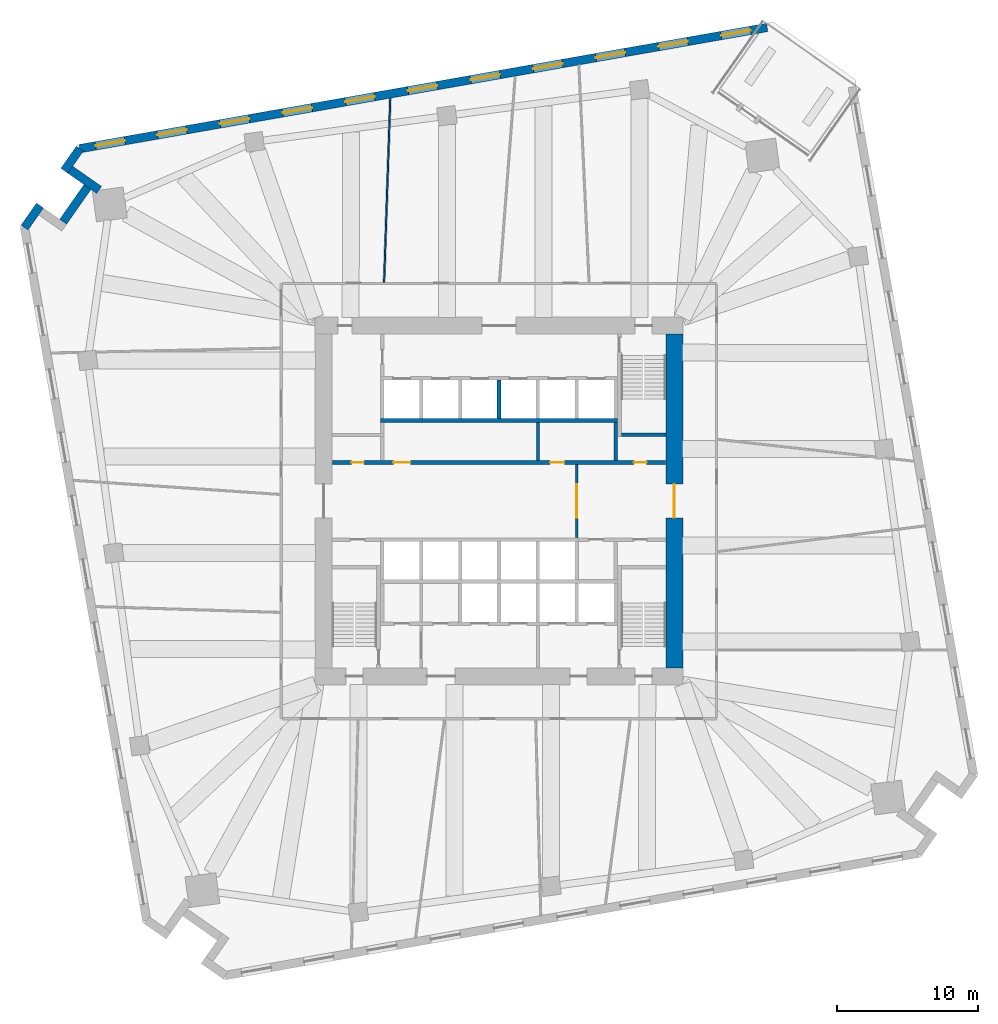
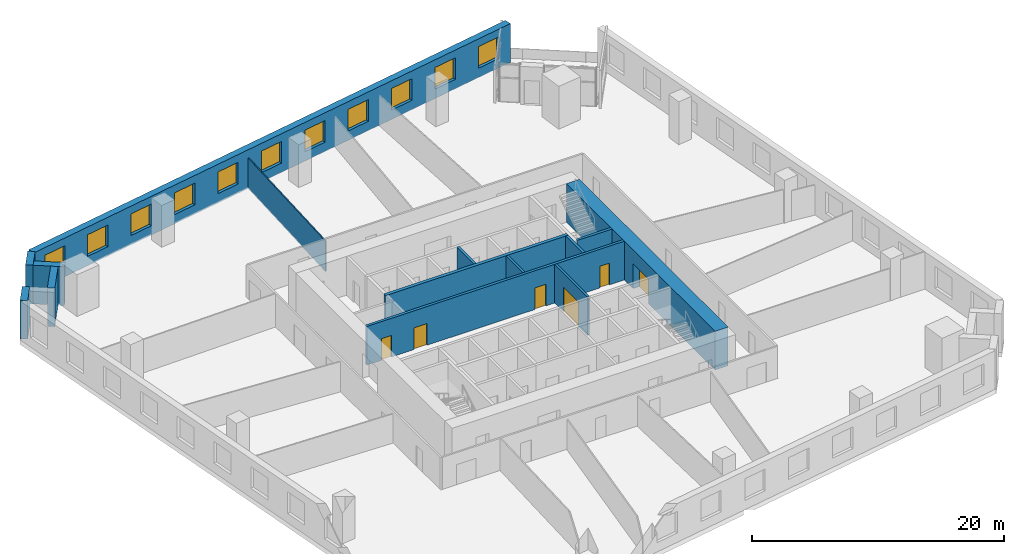
# One storey, part 6 of 10: 14 walls, 11 windows, 6 doors, 17 openings.
"""IFC4 building model written with IfcOpenShell, lengths in metres."""

from ifc_helpers import new_model, si_unit, direction, frame, frame_2d, origin, place, context, subcontext, project, spatial, rectangle, extrude, material, layer, layer_set, type_object, element, fill, save


model = new_model("IFC4")

# Units and contexts
model_context = context("Model", 3, precision=1e-05, world=origin(), true_north=direction((0.0, 1.0)))
body_context = subcontext(model_context, "Body", "Model", "MODEL_VIEW")
ifc_project = project(units=[si_unit("LENGTHUNIT", "METRE"), si_unit("AREAUNIT", "SQUARE_METRE"), si_unit("VOLUMEUNIT", "CUBIC_METRE"), si_unit("PLANEANGLEUNIT", "RADIAN"), si_unit("MASSUNIT", "GRAM", prefix="KILO")], contexts=[model_context])

# Site, building, storey
site_placement = place(None, origin())
site = spatial("IfcSite", under=ifc_project, at=site_placement, CompositionType="ELEMENT")
building_placement = place(site_placement, origin())
building = spatial("IfcBuilding", under=site, at=building_placement, Name="Dilmun Exchange Tower", CompositionType="ELEMENT")
storey_placement = place(building_placement, frame((0.0, 0.0, 59.699951171875)))
storey = spatial("IfcBuildingStorey", under=building, at=storey_placement, Name="L13", CompositionType="ELEMENT", Elevation=59.699951171875)

# Wall, opening, door
ifc_material_1 = material(Name="Concrete C40/50", Category="concrete")
ifc_layer_1 = layer(ifc_material_1, 0.199951171875)
ifc_layer_set_1 = layer_set([ifc_layer_1], Name="Concrete C40/50")
wall_type_1 = type_object("IfcWallType", Name="Core partition wall 200", PredefinedType="PARTITIONING", material=ifc_layer_set_1)
wall_1_placement = place(storey_placement, frame((5.5, -2.594970703125, 0.0), z_axis=(0.0, 0.0, 1.0), x_axis=(0.0, 1.0, 0.0)))
wall_1 = element("IfcWall", 1, at=wall_1_placement, inside=storey, type_object=wall_type_1, Name="L13 core partition wall 09", PredefinedType="PARTITIONING", context=body_context, shape_type="SweptSolid", body=[
    extrude(rectangle(XDim=5.18994140625, YDim=0.199951171875, at=frame_2d((2.594970703125, 0.0))), origin(), (0.0, 0.0, 1.0), 3.75),
])
opening_1_placement = place(wall_1_placement, frame((1.39501953125, 0.0, 0.0)))
opening_1 = element("IfcOpeningElement", 2, at=opening_1_placement, cuts=wall_1, Name="Opening CD1", PredefinedType="OPENING", context=body_context, shape_type="SweptSolid", body=[
    extrude(rectangle(XDim=2.39990234375, YDim=2.39990234375, at=frame_2d((1.199951171875, 1.199951171875))), frame((0.0, 0.10986328125, 0.0), z_axis=(0.0, -1.0, 0.0), x_axis=(1.0, 0.0, 0.0)), (0.0, 0.0, 1.0), 0.219970703125),
])
ifc_material_2 = material(Name="Fire-rated steel door set", Category="steel")
door_type_1 = type_object("IfcDoorType", Name="Core lobby door 2400x2400", OperationType="DOUBLE_DOOR_DOUBLE_SWING", PredefinedType="DOOR", material=ifc_material_2)
door_1_placement = place(opening_1_placement, origin())
door_1 = element("IfcDoor", 3, at=door_1_placement, inside=storey, type_object=door_type_1, Name="L13 door Lift lobby east", OperationType="DOUBLE_DOOR_DOUBLE_SWING", OverallHeight=2.39990234375, OverallWidth=2.39990234375, PredefinedType="DOOR", context=body_context, shape_type="SweptSolid", body=[
    extrude(rectangle(XDim=2.39990234375, YDim=2.39990234375, at=frame_2d((1.199951171875, 1.199951171875))), frame((0.0, 0.02490234375, 0.0), z_axis=(0.0, -1.0, 0.0), x_axis=(1.0, 0.0, 0.0)), (0.0, 0.0, 1.0), 0.050048828125),
])
fill(opening_1, door_1)

# Wall
wall_2_placement = place(storey_placement, frame((2.75, 2.85498046875, 0.0), z_axis=(0.0, 0.0, 1.0), x_axis=(0.0, 1.0, 0.0)))
element("IfcWall", 4, at=wall_2_placement, inside=storey, type_object=wall_type_1, Name="L13 core partition wall 12", PredefinedType="PARTITIONING", context=body_context, shape_type="SweptSolid", body=[
    extrude(rectangle(XDim=2.68994140625, YDim=0.199951171875, at=frame_2d((1.344970703125, 0.0))), origin(), (0.0, 0.0, 1.0), 3.75),
])

# Wall, openings, doors
ifc_layer_2 = layer(ifc_material_1, 0.25)
ifc_layer_set_2 = layer_set([ifc_layer_2], Name="Concrete C40/50")
wall_type_2 = type_object("IfcWallType", Name="Core partition wall 250", PredefinedType="PARTITIONING", material=ifc_layer_set_2)
wall_3_placement = place(storey_placement, frame((-11.794921875, 2.72509765625, 0.0), z_axis=(0.0, 0.0, 1.0), x_axis=(1.0, 0.0, 0.0)))
wall_3 = element("IfcWall", 5, at=wall_3_placement, inside=storey, type_object=wall_type_2, Name="L13 core partition wall 10", PredefinedType="PARTITIONING", context=body_context, shape_type="SweptSolid", body=[
    extrude(rectangle(XDim=23.58984375, YDim=0.25, at=frame_2d((11.794921875, 0.0))), origin(), (0.0, 0.0, 1.0), 3.75),
])
opening_2_placement = place(wall_3_placement, frame((21.344970703125, 0.0, 0.0)))
opening_2 = element("IfcOpeningElement", 6, at=opening_2_placement, cuts=wall_3, Name="Opening CD6", PredefinedType="OPENING", context=body_context, shape_type="SweptSolid", body=[
    extrude(rectangle(XDim=0.89990234375, YDim=2.10009765625, at=frame_2d((0.449951171875, 1.050048828125))), frame((0.0, 0.135009765625, 0.0), z_axis=(0.0, -1.0, 0.0), x_axis=(1.0, 0.0, 0.0)), (0.0, 0.0, 1.0), 0.27001953125),
])
opening_3_placement = place(wall_3_placement, frame((1.344970703125, 0.0, 0.0)))
opening_3 = element("IfcOpeningElement", 7, at=opening_3_placement, cuts=wall_3, Name="Opening CD6", PredefinedType="OPENING", context=body_context, shape_type="SweptSolid", body=[
    extrude(rectangle(XDim=0.89990234375, YDim=2.10009765625, at=frame_2d((0.449951171875, 1.050048828125))), frame((0.0, 0.135009765625, 0.0), z_axis=(0.0, -1.0, 0.0), x_axis=(1.0, 0.0, 0.0)), (0.0, 0.0, 1.0), 0.27001953125),
])
opening_4_placement = place(wall_3_placement, frame((4.320068359375, 0.0, 0.0)))
opening_4 = element("IfcOpeningElement", 8, at=opening_4_placement, cuts=wall_3, Name="Opening CD3", PredefinedType="OPENING", context=body_context, shape_type="SweptSolid", body=[
    extrude(rectangle(XDim=1.199951171875, YDim=2.10009765625, at=frame_2d((0.60009765625, 1.050048828125))), frame((0.0, 0.135009765625, 0.0), z_axis=(0.0, -1.0, 0.0), x_axis=(1.0, 0.0, 0.0)), (0.0, 0.0, 1.0), 0.27001953125),
])
opening_5_placement = place(wall_3_placement, frame((15.419921875, 0.0, 0.0)))
opening_5 = element("IfcOpeningElement", 9, at=opening_5_placement, cuts=wall_3, Name="Opening CD4", PredefinedType="OPENING", context=body_context, shape_type="SweptSolid", body=[
    extrude(rectangle(XDim=1.0, YDim=2.10009765625, at=frame_2d((0.5, 1.050048828125))), frame((0.0, 0.135009765625, 0.0), z_axis=(0.0, -1.0, 0.0), x_axis=(1.0, 0.0, 0.0)), (0.0, 0.0, 1.0), 0.27001953125),
])
door_type_2 = type_object("IfcDoorType", Name="Core room door 1000x2100", OperationType="SINGLE_SWING_LEFT", PredefinedType="DOOR", material=ifc_material_2)
door_2_placement = place(opening_5_placement, origin())
door_2 = element("IfcDoor", 10, at=door_2_placement, inside=storey, type_object=door_type_2, Name="L13 door Tenant services room", OperationType="SINGLE_SWING_RIGHT", OverallHeight=2.10009765625, OverallWidth=1.0, PredefinedType="DOOR", context=body_context, shape_type="SweptSolid", body=[
    extrude(rectangle(XDim=1.0, YDim=2.10009765625, at=frame_2d((0.5, 1.050048828125))), frame((0.0, 0.02490234375, 0.0), z_axis=(0.0, -1.0, 0.0), x_axis=(1.0, 0.0, 0.0)), (0.0, 0.0, 1.0), 0.050048828125),
])
fill(opening_5, door_2)
door_type_3 = type_object("IfcDoorType", Name="Core room door 900x2100", OperationType="SINGLE_SWING_LEFT", PredefinedType="DOOR", material=ifc_material_2)
door_3_placement = place(opening_2_placement, origin())
door_3 = element("IfcDoor", 11, at=door_3_placement, inside=storey, type_object=door_type_3, Name="L13 door Electrical riser", OperationType="SINGLE_SWING_RIGHT", OverallHeight=2.10009765625, OverallWidth=0.89990234375, PredefinedType="DOOR", context=body_context, shape_type="SweptSolid", body=[
    extrude(rectangle(XDim=0.89990234375, YDim=2.10009765625, at=frame_2d((0.449951171875, 1.050048828125))), frame((0.0, 0.02490234375, 0.0), z_axis=(0.0, -1.0, 0.0), x_axis=(1.0, 0.0, 0.0)), (0.0, 0.0, 1.0), 0.050048828125),
])
fill(opening_2, door_3)
door_4_placement = place(opening_3_placement, origin())
door_4 = element("IfcDoor", 12, at=door_4_placement, inside=storey, type_object=door_type_3, Name="L13 door Plumbing riser", OperationType="SINGLE_SWING_RIGHT", OverallHeight=2.10009765625, OverallWidth=0.89990234375, PredefinedType="DOOR", context=body_context, shape_type="SweptSolid", body=[
    extrude(rectangle(XDim=0.89990234375, YDim=2.10009765625, at=frame_2d((0.449951171875, 1.050048828125))), frame((0.0, 0.02490234375, 0.0), z_axis=(0.0, -1.0, 0.0), x_axis=(1.0, 0.0, 0.0)), (0.0, 0.0, 1.0), 0.050048828125),
])
fill(opening_3, door_4)
door_type_4 = type_object("IfcDoorType", Name="Stair exit door 1200x2100", OperationType="SINGLE_SWING_LEFT", PredefinedType="DOOR", material=ifc_material_2)
door_5_placement = place(opening_4_placement, origin())
door_5 = element("IfcDoor", 13, at=door_5_placement, inside=storey, type_object=door_type_4, Name="L13 door Building management office", OperationType="SINGLE_SWING_LEFT", OverallHeight=2.10009765625, OverallWidth=1.199951171875, PredefinedType="DOOR", context=body_context, shape_type="SweptSolid", body=[
    extrude(rectangle(XDim=1.199951171875, YDim=2.10009765625, at=frame_2d((0.60009765625, 1.050048828125))), frame((0.0, 0.02490234375, 0.0), z_axis=(0.0, -1.0, 0.0), x_axis=(1.0, 0.0, 0.0)), (0.0, 0.0, 1.0), 0.050048828125),
])
fill(opening_4, door_5)

# Wall
wall_4_placement = place(storey_placement, frame((8.25, 2.85498046875, 0.0), z_axis=(0.0, 0.0, 1.0), x_axis=(0.0, 1.0, 0.0)))
element("IfcWall", 14, at=wall_4_placement, inside=storey, type_object=wall_type_2, Name="L13 core partition wall 13", PredefinedType="PARTITIONING", context=body_context, shape_type="SweptSolid", body=[
    extrude(rectangle(XDim=2.68994140625, YDim=0.25, at=frame_2d((1.344970703125, 0.0))), origin(), (0.0, 0.0, 1.0), 3.75),
])

# Wall, opening, door
ifc_material_3 = material(Name="Concrete C80/95", Category="concrete")
ifc_layer_3 = layer(ifc_material_3, 1.199951171875)
ifc_layer_set_3 = layer_set([ifc_layer_3], Name="Concrete C80/95")
wall_type_3 = type_object("IfcWallType", Name="Core shear wall 1200 Concrete C80/95", PredefinedType="SHEAR", material=ifc_layer_set_3)
wall_5_placement = place(storey_placement, frame((12.39990234375, -11.800048828125, 0.0), z_axis=(0.0, 0.0, 1.0), x_axis=(0.0, 1.0, 0.0)))
wall_5 = element("IfcWall", 15, at=wall_5_placement, inside=storey, type_object=wall_type_3, Name="L13 core shear wall E", PredefinedType="SHEAR", context=body_context, shape_type="SweptSolid", body=[
    extrude(rectangle(XDim=23.60009765625, YDim=1.199951171875, at=frame_2d((11.800048828125, 0.0))), origin(), (0.0, 0.0, 1.0), 3.75),
])
opening_6_placement = place(wall_5_placement, frame((10.60009765625, 0.0, 0.0)))
opening_6 = element("IfcOpeningElement", 16, at=opening_6_placement, cuts=wall_5, Name="Opening CD1", PredefinedType="OPENING", context=body_context, shape_type="SweptSolid", body=[
    extrude(rectangle(XDim=2.39990234375, YDim=2.39990234375, at=frame_2d((1.199951171875, 1.199951171875))), frame((0.0, 0.60986328125, 0.0), z_axis=(0.0, -1.0, 0.0), x_axis=(1.0, 0.0, 0.0)), (0.0, 0.0, 1.0), 1.219970703125),
])
door_6_placement = place(opening_6_placement, origin())
door_6 = element("IfcDoor", 17, at=door_6_placement, inside=storey, type_object=door_type_1, Name="L13 door Central lift lobby", OperationType="SINGLE_SWING_LEFT", OverallHeight=2.39990234375, OverallWidth=2.39990234375, PredefinedType="DOOR", context=body_context, shape_type="SweptSolid", body=[
    extrude(rectangle(XDim=2.39990234375, YDim=2.39990234375, at=frame_2d((1.199951171875, 1.199951171875))), frame((0.0, 0.02490234375, 0.0), z_axis=(0.0, -1.0, 0.0), x_axis=(1.0, 0.0, 0.0)), (0.0, 0.0, 1.0), 0.050048828125),
])
fill(opening_6, door_6)

# Walls
ifc_layer_4 = layer(ifc_material_1, 0.300048828125)
ifc_layer_set_4 = layer_set([ifc_layer_4], Name="Concrete C40/50")
wall_type_4 = type_object("IfcWallType", Name="Lift shaft shared wall 300", PredefinedType="SOLIDWALL", material=ifc_layer_set_4)
wall_6_placement = place(storey_placement, frame((-8.375, 5.699951171875, 0.0), z_axis=(0.0, 0.0, 1.0), x_axis=(1.0, 0.0, 0.0)))
element("IfcWall", 18, at=wall_6_placement, inside=storey, type_object=wall_type_4, Name="L13 lift shaft rear wall N", PredefinedType="SOLIDWALL", context=body_context, shape_type="SweptSolid", body=[
    extrude(rectangle(XDim=16.75, YDim=0.300048828125, at=frame_2d((8.375, 0.0))), origin(), (0.0, 0.0, 1.0), 3.75),
])
ifc_layer_5 = layer(ifc_material_1, 0.25)
ifc_layer_set_5 = layer_set([ifc_layer_5], Name="Concrete C40/50")
wall_type_5 = type_object("IfcWallType", Name="Lift shaft wall 250", PredefinedType="SOLIDWALL", material=ifc_layer_set_5)
wall_7_placement = place(storey_placement, frame((0.0, 5.85009765625, 0.0), z_axis=(0.0, 0.0, 1.0), x_axis=(0.0, 1.0, 0.0)))
element("IfcWall", 19, at=wall_7_placement, inside=storey, type_object=wall_type_5, Name="L13 lift shaft divider N23", PredefinedType="SOLIDWALL", context=body_context, shape_type="SweptSolid", body=[
    extrude(rectangle(XDim=2.699951171875, YDim=0.25, at=frame_2d((1.35009765625, 0.0))), origin(), (0.0, 0.0, 1.0), 3.75),
])
ifc_material_4 = material(Name="Partition 100")
ifc_layer_6 = layer(ifc_material_4, 0.10009765625)
ifc_layer_set_6 = layer_set([ifc_layer_6], Name="Partition 100")
wall_type_6 = type_object("IfcWallType", Name="Partition 100", PredefinedType="PARTITIONING", material=ifc_layer_set_6)
wall_8_placement = place(storey_placement, frame((-8.12841796875, 15.476806640625, 0.0), z_axis=(0.0, 0.0, 1.0), x_axis=(0.033530755766, 0.99943768611, 0.0)))
element("IfcWall", 20, at=wall_8_placement, inside=storey, type_object=wall_type_6, Name="Partition", PredefinedType="PARTITIONING", context=body_context, shape_type="SweptSolid", body=[
    extrude(rectangle(XDim=13.02587890625, YDim=0.10009765625, at=frame_2d((6.512939453125, 0.0))), origin(), (0.0, 0.0, 1.0), 2.949951171875),
])

# Wall, openings, windows
ifc_material_5 = material(Name="Precast concrete C50/60", Category="concrete")
ifc_layer_7 = layer(ifc_material_5, 0.60009765625)
ifc_layer_set_7 = layer_set([ifc_layer_7], Name="Precast concrete C50/60")
wall_type_7 = type_object("IfcWallType", Name="Precast stone-clad wall 600", PredefinedType="STANDARD", material=ifc_layer_set_7)
wall_9_placement = place(storey_placement, frame((18.970458984375, 33.503173828125, 0.0), z_axis=(0.0, 0.0, 1.0), x_axis=(-0.984807939945, -0.173647117517, 0.0)))
wall_9 = element("IfcWall", 21, at=wall_9_placement, inside=storey, type_object=wall_type_7, Name="Facade wall L13-03", PredefinedType="STANDARD", context=body_context, shape_type="SweptSolid", body=[
    extrude(rectangle(XDim=49.375732421875, YDim=0.60009765625, at=frame_2d((24.68798828125, 0.0))), origin(), (0.0, 0.0, 1.0), 3.75),
])
opening_7_placement = place(wall_9_placement, frame((1.199951171875, 0.0, 0.89990234375)))
opening_7 = element("IfcOpeningElement", 22, at=opening_7_placement, cuts=wall_9, Name="Opening W210-210", PredefinedType="OPENING", context=body_context, shape_type="SweptSolid", body=[
    extrude(rectangle(XDim=2.10009765625, YDim=2.10009765625, at=frame_2d((1.050048828125, 1.050048828125))), frame((0.0, 0.31005859375, 0.0), z_axis=(0.0, -1.0, 0.0), x_axis=(1.0, 0.0, 0.0)), (0.0, 0.0, 1.0), 0.6201171875),
])
opening_8_placement = place(wall_9_placement, frame((5.699951171875, 0.0, 0.89990234375)))
opening_8 = element("IfcOpeningElement", 23, at=opening_8_placement, cuts=wall_9, Name="Opening W210-210", PredefinedType="OPENING", context=body_context, shape_type="SweptSolid", body=[
    extrude(rectangle(XDim=2.10009765625, YDim=2.10009765625, at=frame_2d((1.050048828125, 1.050048828125))), frame((0.0, 0.31005859375, 0.0), z_axis=(0.0, -1.0, 0.0), x_axis=(1.0, 0.0, 0.0)), (0.0, 0.0, 1.0), 0.6201171875),
])
opening_9_placement = place(wall_9_placement, frame((10.199951171875, 0.0, 0.89990234375)))
opening_9 = element("IfcOpeningElement", 24, at=opening_9_placement, cuts=wall_9, Name="Opening W210-210", PredefinedType="OPENING", context=body_context, shape_type="SweptSolid", body=[
    extrude(rectangle(XDim=2.10009765625, YDim=2.10009765625, at=frame_2d((1.050048828125, 1.050048828125))), frame((0.0, 0.31005859375, 0.0), z_axis=(0.0, -1.0, 0.0), x_axis=(1.0, 0.0, 0.0)), (0.0, 0.0, 1.0), 0.6201171875),
])
opening_10_placement = place(wall_9_placement, frame((14.699951171875, 0.0, 0.89990234375)))
opening_10 = element("IfcOpeningElement", 25, at=opening_10_placement, cuts=wall_9, Name="Opening W210-210", PredefinedType="OPENING", context=body_context, shape_type="SweptSolid", body=[
    extrude(rectangle(XDim=2.10009765625, YDim=2.10009765625, at=frame_2d((1.050048828125, 1.050048828125))), frame((0.0, 0.31005859375, 0.0), z_axis=(0.0, -1.0, 0.0), x_axis=(1.0, 0.0, 0.0)), (0.0, 0.0, 1.0), 0.6201171875),
])
opening_11_placement = place(wall_9_placement, frame((19.199951171875, 0.0, 0.89990234375)))
opening_11 = element("IfcOpeningElement", 26, at=opening_11_placement, cuts=wall_9, Name="Opening W210-210", PredefinedType="OPENING", context=body_context, shape_type="SweptSolid", body=[
    extrude(rectangle(XDim=2.10009765625, YDim=2.10009765625, at=frame_2d((1.050048828125, 1.050048828125))), frame((0.0, 0.31005859375, 0.0), z_axis=(0.0, -1.0, 0.0), x_axis=(1.0, 0.0, 0.0)), (0.0, 0.0, 1.0), 0.6201171875),
])
opening_12_placement = place(wall_9_placement, frame((23.699951171875, 0.0, 0.89990234375)))
opening_12 = element("IfcOpeningElement", 27, at=opening_12_placement, cuts=wall_9, Name="Opening W210-210", PredefinedType="OPENING", context=body_context, shape_type="SweptSolid", body=[
    extrude(rectangle(XDim=2.10009765625, YDim=2.10009765625, at=frame_2d((1.050048828125, 1.050048828125))), frame((0.0, 0.31005859375, 0.0), z_axis=(0.0, -1.0, 0.0), x_axis=(1.0, 0.0, 0.0)), (0.0, 0.0, 1.0), 0.6201171875),
])
opening_13_placement = place(wall_9_placement, frame((28.199951171875, 0.0, 0.89990234375)))
opening_13 = element("IfcOpeningElement", 28, at=opening_13_placement, cuts=wall_9, Name="Opening W210-210", PredefinedType="OPENING", context=body_context, shape_type="SweptSolid", body=[
    extrude(rectangle(XDim=2.10009765625, YDim=2.10009765625, at=frame_2d((1.050048828125, 1.050048828125))), frame((0.0, 0.31005859375, 0.0), z_axis=(0.0, -1.0, 0.0), x_axis=(1.0, 0.0, 0.0)), (0.0, 0.0, 1.0), 0.6201171875),
])
opening_14_placement = place(wall_9_placement, frame((32.699951171875, 0.0, 0.89990234375)))
opening_14 = element("IfcOpeningElement", 29, at=opening_14_placement, cuts=wall_9, Name="Opening W210-210", PredefinedType="OPENING", context=body_context, shape_type="SweptSolid", body=[
    extrude(rectangle(XDim=2.10009765625, YDim=2.10009765625, at=frame_2d((1.050048828125, 1.050048828125))), frame((0.0, 0.31005859375, 0.0), z_axis=(0.0, -1.0, 0.0), x_axis=(1.0, 0.0, 0.0)), (0.0, 0.0, 1.0), 0.6201171875),
])
opening_15_placement = place(wall_9_placement, frame((37.199951171875, 0.0, 0.89990234375)))
opening_15 = element("IfcOpeningElement", 30, at=opening_15_placement, cuts=wall_9, Name="Opening W210-210", PredefinedType="OPENING", context=body_context, shape_type="SweptSolid", body=[
    extrude(rectangle(XDim=2.10009765625, YDim=2.10009765625, at=frame_2d((1.050048828125, 1.050048828125))), frame((0.0, 0.31005859375, 0.0), z_axis=(0.0, -1.0, 0.0), x_axis=(1.0, 0.0, 0.0)), (0.0, 0.0, 1.0), 0.6201171875),
])
opening_16_placement = place(wall_9_placement, frame((41.699951171875, 0.0, 0.89990234375)))
opening_16 = element("IfcOpeningElement", 31, at=opening_16_placement, cuts=wall_9, Name="Opening W210-210", PredefinedType="OPENING", context=body_context, shape_type="SweptSolid", body=[
    extrude(rectangle(XDim=2.10009765625, YDim=2.10009765625, at=frame_2d((1.050048828125, 1.050048828125))), frame((0.0, 0.31005859375, 0.0), z_axis=(0.0, -1.0, 0.0), x_axis=(1.0, 0.0, 0.0)), (0.0, 0.0, 1.0), 0.6201171875),
])
opening_17_placement = place(wall_9_placement, frame((46.137939453125, 0.0, 0.89990234375)))
opening_17 = element("IfcOpeningElement", 32, at=opening_17_placement, cuts=wall_9, Name="Opening W210-210", PredefinedType="OPENING", context=body_context, shape_type="SweptSolid", body=[
    extrude(rectangle(XDim=2.10009765625, YDim=2.10009765625, at=frame_2d((1.050048828125, 1.050048828125))), frame((0.0, 0.31005859375, 0.0), z_axis=(0.0, -1.0, 0.0), x_axis=(1.0, 0.0, 0.0)), (0.0, 0.0, 1.0), 0.6201171875),
])
ifc_material_6 = material(Name="Clear low-emissivity glass in aluminium frame", Category="aluminium")
window_type = type_object("IfcWindowType", Name="Punched window 2100 x 2100", PartitioningType="DOUBLE_PANEL_VERTICAL", PredefinedType="WINDOW", material=ifc_material_6)
window_1_placement = place(opening_7_placement, origin())
window_1 = element("IfcWindow", 33, at=window_1_placement, inside=storey, type_object=window_type, Name="Window 4.1", OverallHeight=2.10009765625, OverallWidth=2.10009765625, PartitioningType="SINGLE_PANEL", PredefinedType="WINDOW", context=body_context, shape_type="SweptSolid", body=[
    extrude(rectangle(XDim=2.10009765625, YDim=2.10009765625, at=frame_2d((1.050048828125, 1.050048828125))), frame((0.0, 0.030029296875, 0.0), z_axis=(0.0, -1.0, 0.0), x_axis=(1.0, 0.0, 0.0)), (0.0, 0.0, 1.0), 0.06005859375),
])
fill(opening_7, window_1)
window_2_placement = place(opening_8_placement, origin())
window_2 = element("IfcWindow", 34, at=window_2_placement, inside=storey, type_object=window_type, Name="Window 4.2", OverallHeight=2.10009765625, OverallWidth=2.10009765625, PartitioningType="SINGLE_PANEL", PredefinedType="WINDOW", context=body_context, shape_type="SweptSolid", body=[
    extrude(rectangle(XDim=2.10009765625, YDim=2.10009765625, at=frame_2d((1.050048828125, 1.050048828125))), frame((0.0, 0.030029296875, 0.0), z_axis=(0.0, -1.0, 0.0), x_axis=(1.0, 0.0, 0.0)), (0.0, 0.0, 1.0), 0.06005859375),
])
fill(opening_8, window_2)
window_3_placement = place(opening_9_placement, origin())
window_3 = element("IfcWindow", 35, at=window_3_placement, inside=storey, type_object=window_type, Name="Window 4.3", OverallHeight=2.10009765625, OverallWidth=2.10009765625, PartitioningType="SINGLE_PANEL", PredefinedType="WINDOW", context=body_context, shape_type="SweptSolid", body=[
    extrude(rectangle(XDim=2.10009765625, YDim=2.10009765625, at=frame_2d((1.050048828125, 1.050048828125))), frame((0.0, 0.030029296875, 0.0), z_axis=(0.0, -1.0, 0.0), x_axis=(1.0, 0.0, 0.0)), (0.0, 0.0, 1.0), 0.06005859375),
])
fill(opening_9, window_3)
window_4_placement = place(opening_10_placement, origin())
window_4 = element("IfcWindow", 36, at=window_4_placement, inside=storey, type_object=window_type, Name="Window 4.4", OverallHeight=2.10009765625, OverallWidth=2.10009765625, PartitioningType="SINGLE_PANEL", PredefinedType="WINDOW", context=body_context, shape_type="SweptSolid", body=[
    extrude(rectangle(XDim=2.10009765625, YDim=2.10009765625, at=frame_2d((1.050048828125, 1.050048828125))), frame((0.0, 0.030029296875, 0.0), z_axis=(0.0, -1.0, 0.0), x_axis=(1.0, 0.0, 0.0)), (0.0, 0.0, 1.0), 0.06005859375),
])
fill(opening_10, window_4)
window_5_placement = place(opening_11_placement, origin())
window_5 = element("IfcWindow", 37, at=window_5_placement, inside=storey, type_object=window_type, Name="Window 4.5", OverallHeight=2.10009765625, OverallWidth=2.10009765625, PartitioningType="SINGLE_PANEL", PredefinedType="WINDOW", context=body_context, shape_type="SweptSolid", body=[
    extrude(rectangle(XDim=2.10009765625, YDim=2.10009765625, at=frame_2d((1.050048828125, 1.050048828125))), frame((0.0, 0.030029296875, 0.0), z_axis=(0.0, -1.0, 0.0), x_axis=(1.0, 0.0, 0.0)), (0.0, 0.0, 1.0), 0.06005859375),
])
fill(opening_11, window_5)
window_6_placement = place(opening_12_placement, origin())
window_6 = element("IfcWindow", 38, at=window_6_placement, inside=storey, type_object=window_type, Name="Window 4.6", OverallHeight=2.10009765625, OverallWidth=2.10009765625, PartitioningType="SINGLE_PANEL", PredefinedType="WINDOW", context=body_context, shape_type="SweptSolid", body=[
    extrude(rectangle(XDim=2.10009765625, YDim=2.10009765625, at=frame_2d((1.050048828125, 1.050048828125))), frame((0.0, 0.030029296875, 0.0), z_axis=(0.0, -1.0, 0.0), x_axis=(1.0, 0.0, 0.0)), (0.0, 0.0, 1.0), 0.06005859375),
])
fill(opening_12, window_6)
window_7_placement = place(opening_13_placement, origin())
window_7 = element("IfcWindow", 39, at=window_7_placement, inside=storey, type_object=window_type, Name="Window 4.7", OverallHeight=2.10009765625, OverallWidth=2.10009765625, PartitioningType="SINGLE_PANEL", PredefinedType="WINDOW", context=body_context, shape_type="SweptSolid", body=[
    extrude(rectangle(XDim=2.10009765625, YDim=2.10009765625, at=frame_2d((1.050048828125, 1.050048828125))), frame((0.0, 0.030029296875, 0.0), z_axis=(0.0, -1.0, 0.0), x_axis=(1.0, 0.0, 0.0)), (0.0, 0.0, 1.0), 0.06005859375),
])
fill(opening_13, window_7)
window_8_placement = place(opening_14_placement, origin())
window_8 = element("IfcWindow", 40, at=window_8_placement, inside=storey, type_object=window_type, Name="Window 4.8", OverallHeight=2.10009765625, OverallWidth=2.10009765625, PartitioningType="SINGLE_PANEL", PredefinedType="WINDOW", context=body_context, shape_type="SweptSolid", body=[
    extrude(rectangle(XDim=2.10009765625, YDim=2.10009765625, at=frame_2d((1.050048828125, 1.050048828125))), frame((0.0, 0.030029296875, 0.0), z_axis=(0.0, -1.0, 0.0), x_axis=(1.0, 0.0, 0.0)), (0.0, 0.0, 1.0), 0.06005859375),
])
fill(opening_14, window_8)
window_9_placement = place(opening_15_placement, origin())
window_9 = element("IfcWindow", 41, at=window_9_placement, inside=storey, type_object=window_type, Name="Window 4.9", OverallHeight=2.10009765625, OverallWidth=2.10009765625, PartitioningType="SINGLE_PANEL", PredefinedType="WINDOW", context=body_context, shape_type="SweptSolid", body=[
    extrude(rectangle(XDim=2.10009765625, YDim=2.10009765625, at=frame_2d((1.050048828125, 1.050048828125))), frame((0.0, 0.030029296875, 0.0), z_axis=(0.0, -1.0, 0.0), x_axis=(1.0, 0.0, 0.0)), (0.0, 0.0, 1.0), 0.06005859375),
])
fill(opening_15, window_9)
window_10_placement = place(opening_16_placement, origin())
window_10 = element("IfcWindow", 42, at=window_10_placement, inside=storey, type_object=window_type, Name="Window 4.10", OverallHeight=2.10009765625, OverallWidth=2.10009765625, PartitioningType="SINGLE_PANEL", PredefinedType="WINDOW", context=body_context, shape_type="SweptSolid", body=[
    extrude(rectangle(XDim=2.10009765625, YDim=2.10009765625, at=frame_2d((1.050048828125, 1.050048828125))), frame((0.0, 0.030029296875, 0.0), z_axis=(0.0, -1.0, 0.0), x_axis=(1.0, 0.0, 0.0)), (0.0, 0.0, 1.0), 0.06005859375),
])
fill(opening_16, window_10)
window_11_placement = place(opening_17_placement, origin())
window_11 = element("IfcWindow", 43, at=window_11_placement, inside=storey, type_object=window_type, Name="Window 4.11", OverallHeight=2.10009765625, OverallWidth=2.10009765625, PartitioningType="SINGLE_PANEL", PredefinedType="WINDOW", context=body_context, shape_type="SweptSolid", body=[
    extrude(rectangle(XDim=2.10009765625, YDim=2.10009765625, at=frame_2d((1.050048828125, 1.050048828125))), frame((0.0, 0.030029296875, 0.0), z_axis=(0.0, -1.0, 0.0), x_axis=(1.0, 0.0, 0.0)), (0.0, 0.0, 1.0), 0.06005859375),
])
fill(opening_17, window_11)

# Walls
wall_10_placement = place(storey_placement, frame((-29.6552734375, 24.92919921875, 0.0), z_axis=(0.0, 0.0, 1.0), x_axis=(-0.573539498447, -0.819177907247, 0.0)))
element("IfcWall", 44, at=wall_10_placement, inside=storey, type_object=wall_type_7, Name="Facade wall L13-04", PredefinedType="STANDARD", context=body_context, shape_type="SweptSolid", body=[
    extrude(rectangle(XDim=1.911376953125, YDim=0.60009765625, at=frame_2d((0.95556640625, 0.0))), origin(), (0.0, 0.0, 1.0), 3.75),
])
wall_11_placement = place(storey_placement, frame((-30.33349609375, 23.437255859375, 0.0), z_axis=(0.0, 0.0, 1.0), x_axis=(0.819144688946, -0.573586940727, 0.0)))
element("IfcWall", 45, at=wall_11_placement, inside=storey, type_object=wall_type_7, Name="Facade wall L13-05", PredefinedType="STANDARD", context=body_context, shape_type="SweptSolid", body=[
    extrude(rectangle(XDim=2.49853515625, YDim=0.60009765625, at=frame_2d((1.249267578125, 0.0))), origin(), (0.0, 0.0, 1.0), 3.75),
])
wall_12_placement = place(storey_placement, frame((-29.113037109375, 22.21630859375, 0.0), z_axis=(0.0, 0.0, 1.0), x_axis=(-0.573615254604, -0.819124862085, 0.0)))
element("IfcWall", 46, at=wall_12_placement, inside=storey, type_object=wall_type_7, Name="Facade wall L13-06", PredefinedType="STANDARD", context=body_context, shape_type="SweptSolid", body=[
    extrude(rectangle(XDim=3.000244140625, YDim=0.60009765625, at=frame_2d((1.5, 0.0))), origin(), (0.0, 0.0, 1.0), 3.75),
])
wall_13_placement = place(storey_placement, frame((-32.47216796875, 20.906005859375, 0.0), z_axis=(0.0, 0.0, 1.0), x_axis=(-0.573599518014, -0.81913588185, 0.0)))
element("IfcWall", 47, at=wall_13_placement, inside=storey, type_object=wall_type_7, Name="Facade wall L13-08", PredefinedType="STANDARD", context=body_context, shape_type="SweptSolid", body=[
    extrude(rectangle(XDim=1.9111328125, YDim=0.60009765625, at=frame_2d((0.95556640625, 0.0))), origin(), (0.0, 0.0, 1.0), 3.75),
])
ifc_layer_8 = layer(ifc_material_1, 0.25)
ifc_layer_set_8 = layer_set([ifc_layer_8], Name="Concrete C40/50")
wall_type_8 = type_object("IfcWallType", Name="Stair end wall 250", PredefinedType="SOLIDWALL", material=ifc_layer_set_8)
wall_14_placement = place(storey_placement, frame((8.64990234375, 4.675048828125, 0.0), z_axis=(0.0, 0.0, 1.0), x_axis=(1.0, 0.0, 0.0)))
element("IfcWall", 48, at=wall_14_placement, inside=storey, type_object=wall_type_8, Name="L13 ST1 far wall", PredefinedType="SOLIDWALL", context=body_context, shape_type="SweptSolid", body=[
    extrude(rectangle(XDim=3.150146484375, YDim=0.25, at=frame_2d((1.5751953125, 0.0))), origin(), (0.0, 0.0, 1.0), 3.75),
])

save(model, "model.ifc")
